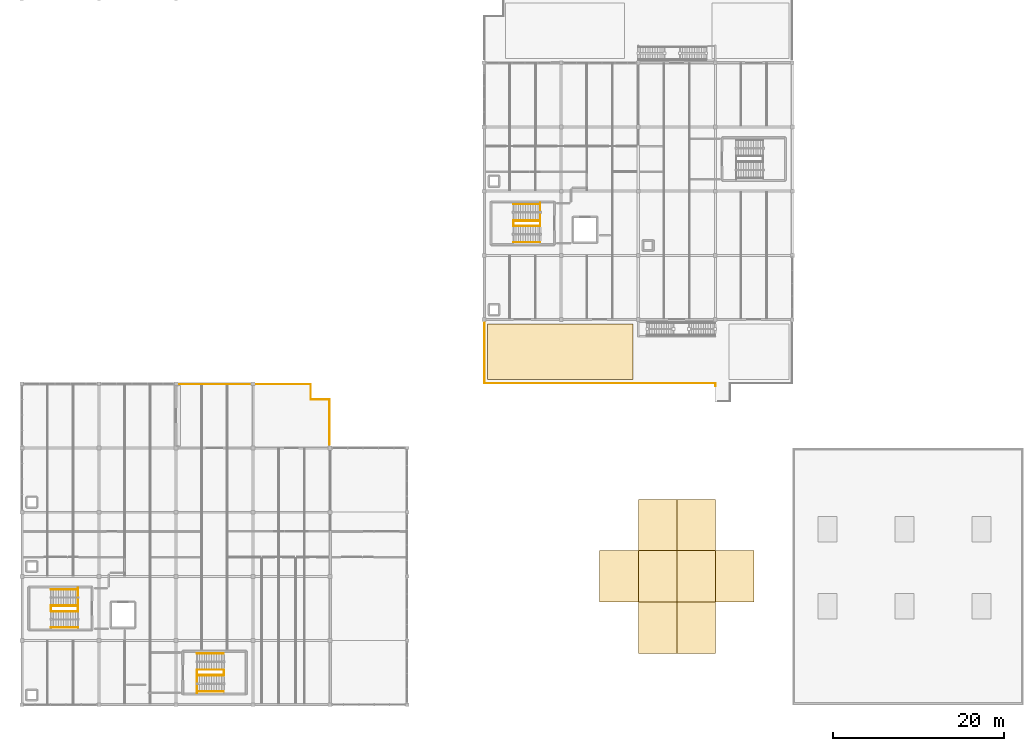
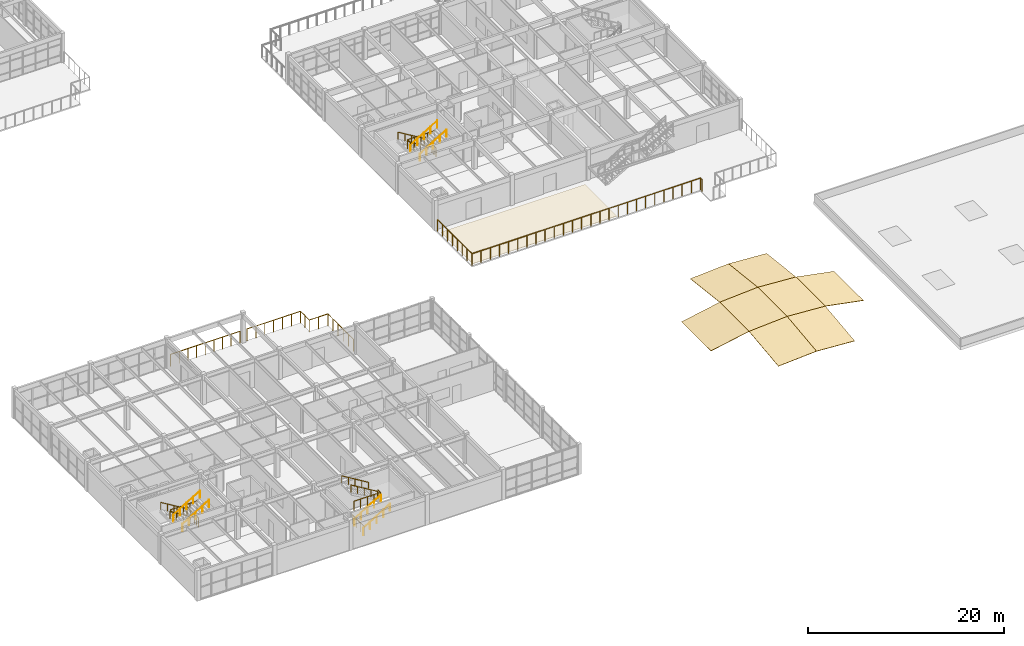
# One storey, part 43 of 45: 21 railings, 9 coverings.
"""IFC4 building model written with IfcOpenShell, lengths in metres."""

import ifcopenshell
import ifcopenshell.guid

model = None  # the IFC model being written
_history = None  # IfcOwnerHistory: only IFC2X3 demands one
_inside = {}  # id of a spatial element -> (the spatial element, [elements in it])
_under = {}  # id of a project, library or spatial element -> (it, [spatial elements below it])
_declared = {}  # id of a project -> (the project, [libraries it declares])
_typed = {}  # id of a type object -> (the type object, [elements of that type])
_made_of = {}  # id of a material, layer set ... -> (it, [elements and type objects made of it])


def new_model(schema):
    """Start an empty IFC model of exactly this schema.

    Asked for "IFC4X3", IfcOpenShell would pick the latest addendum, in which some entities
    have other attributes; the version numbers below select the first issue.
    IFC2X3 requires an IfcOwnerHistory on every rooted entity: one is made here for all.
    """
    global model, _history
    if schema == "IFC4X3":
        model = ifcopenshell.file(schema_version=(4, 3, 0, 0))
    else:
        model = ifcopenshell.file(schema=schema)
    _inside.clear()
    _under.clear()
    _declared.clear()
    _typed.clear()
    _made_of.clear()
    _history = None
    if model.schema == "IFC2X3":
        org = make("IfcOrganization", Name="unknown")
        user = make(
            "IfcPersonAndOrganization",
            ThePerson=make("IfcPerson", FamilyName="unknown"),
            TheOrganization=org,
        )
        app = make(
            "IfcApplication",
            ApplicationDeveloper=org,
            Version="unknown",
            ApplicationFullName="unknown",
            ApplicationIdentifier="unknown",
        )
        _history = make(
            "IfcOwnerHistory",
            OwningUser=user,
            OwningApplication=app,
            ChangeAction="ADDED",
            CreationDate=0,
        )
    return model


def make(cls, **values):
    """One entity of the class cls with the attributes given. An attribute that is None is left unset."""
    return model.create_entity(
        cls, **{name: value for name, value in values.items() if value is not None}
    )


def rooted(cls, **values):
    """An entity with a GlobalId (a new one), such as an element, a storey or a relation."""
    return make(cls, GlobalId=ifcopenshell.guid.new(), OwnerHistory=_history, **values)


def si_unit(unit_type, name, prefix=None):
    """IfcSIUnit, for example si_unit("LENGTHUNIT", "METRE", prefix="MILLI")."""
    return make("IfcSIUnit", UnitType=unit_type, Prefix=prefix, Name=name)


def assignment(units):
    """IfcUnitAssignment: the units of a project."""
    return None if units is None else make("IfcUnitAssignment", Units=units)


def point(xyz):
    """IfcCartesianPoint."""
    return None if xyz is None else make("IfcCartesianPoint", Coordinates=xyz)


def direction(xyz):
    """IfcDirection."""
    return None if xyz is None else make("IfcDirection", DirectionRatios=xyz)


def frame(location, z_axis=None, x_axis=None):
    """IfcAxis2Placement3D, a coordinate frame: its origin and axes. An axis left out is left unset."""
    return make(
        "IfcAxis2Placement3D",
        Location=point(location),
        Axis=direction(z_axis),
        RefDirection=direction(x_axis),
    )


def frame_2d(location, x_axis=None):
    """IfcAxis2Placement2D, a coordinate frame in the plane: its origin and x axis."""
    return make(
        "IfcAxis2Placement2D", Location=point(location), RefDirection=direction(x_axis)
    )


def origin():
    """The frame at (0, 0, 0) with its axes left unset."""
    return frame((0.0, 0.0, 0.0))


def origin_2d():
    """The frame at (0, 0) in the plane with its x axis left unset."""
    return frame_2d((0.0, 0.0))


def place(relative_to, where):
    """IfcLocalPlacement: puts the frame where relative to a parent placement (None: the world)."""
    return make(
        "IfcLocalPlacement", PlacementRelTo=relative_to, RelativePlacement=where
    )


def context(
    kind, dimensions, precision=None, world=None, true_north=None, identifier=None
):
    """IfcGeometricRepresentationContext, for example the 3D "Model" context."""
    return make(
        "IfcGeometricRepresentationContext",
        ContextIdentifier=identifier,
        ContextType=kind,
        CoordinateSpaceDimension=dimensions,
        Precision=precision,
        WorldCoordinateSystem=world,
        TrueNorth=true_north,
    )


def subcontext(parent, identifier, kind, view, scale=None):
    """IfcGeometricRepresentationSubContext, for example "Body" below "Model"."""
    return make(
        "IfcGeometricRepresentationSubContext",
        ContextIdentifier=identifier,
        ContextType=kind,
        ParentContext=parent,
        TargetScale=scale,
        TargetView=view,
    )


def project(units=None, contexts=None):
    """IfcProject with its units and contexts."""
    return rooted(
        "IfcProject",
        Name="project",
        RepresentationContexts=contexts,
        UnitsInContext=assignment(units),
    )


def spatial(cls, under=None, at=None, **own):
    """A site, building, storey or space (cls), placed at a placement, below another one or the project."""
    s = rooted(cls, ObjectPlacement=at, **own)
    if under is not None:
        _under.setdefault(under.id(), (under, []))[1].append(s)
    return s


def polyline(points):
    """IfcPolyline through the points."""
    return make("IfcPolyline", Points=[point(p) for p in points])


def profile(cls, at=None, kind="AREA", **sizes):
    """A parametric profile (cls). Its sizes go by their IFC names, for example OverallWidth=200.0."""
    return make(cls, ProfileType=kind, Position=at, **sizes)


def circle(**sizes):
    """IfcCircleProfileDef."""
    return profile("IfcCircleProfileDef", **sizes)


def outline(outer, holes=None, kind="AREA"):
    """IfcArbitraryClosedProfileDef: a profile drawn as a closed curve; with holes, ...WithVoids."""
    if holes is None:
        return make("IfcArbitraryClosedProfileDef", ProfileType=kind, OuterCurve=outer)
    return make(
        "IfcArbitraryProfileDefWithVoids",
        ProfileType=kind,
        OuterCurve=outer,
        InnerCurves=holes,
    )


def extrude(swept, where, along, depth):
    """IfcExtrudedAreaSolid: the profile swept, set in the frame where, extruded along a direction by depth."""
    return make(
        "IfcExtrudedAreaSolid",
        SweptArea=swept,
        Position=where,
        ExtrudedDirection=direction(along),
        Depth=depth,
    )


def shape(context_of_items, identifier, shape_type, items):
    """IfcShapeRepresentation: the items that make up one representation, for example the "Body"."""
    return make(
        "IfcShapeRepresentation",
        ContextOfItems=context_of_items,
        RepresentationIdentifier=identifier,
        RepresentationType=shape_type,
        Items=items,
    )


def material(Name=None, Category=None):
    """IfcMaterial."""
    return make("IfcMaterial", Name=Name, Category=Category)


def layer(
    of_material, thickness, ventilated=None, Name=None, Category=None, Priority=None
):
    """IfcMaterialLayer: one layer of a wall or slab, of a material (None: an air gap)."""
    return make(
        "IfcMaterialLayer",
        Material=of_material,
        LayerThickness=thickness,
        IsVentilated=ventilated,
        Name=Name,
        Category=Category,
        Priority=Priority,
    )


def layer_set(layers, Name=None):
    """IfcMaterialLayerSet."""
    return make("IfcMaterialLayerSet", MaterialLayers=layers, LayerSetName=Name)


def made_of(thing, what):
    """Note that an element or type object is made of a material, layer set ...; save() writes the relation."""
    if what is not None:
        _made_of.setdefault(what.id(), (what, []))[1].append(thing)
    return thing


def type_object(cls, material=None, **own):
    """A type object (cls), such as IfcWallType, which elements share."""
    return made_of(rooted(cls, **own), material)


def element(
    cls,
    number,
    at=None,
    inside=None,
    cuts=None,
    type_object=None,
    material=None,
    context=None,
    identifier="Body",
    shape_type=None,
    held_by="IfcProductDefinitionShape",
    body=None,
    shapes=None,
    **own,
):
    """One element of the class cls, such as IfcWall. Its Tag is "e" and its number.

    at: its placement. inside: the storey or other place that contains it. cuts: it is an
    opening in that element (IfcRelVoidsElement). A single representation is given by context,
    identifier, shape_type and body (its items); several are given by shapes. held_by: the class
    of the entity that holds the representations. save() writes the other relations.
    """
    e = rooted(cls, Tag="e%d" % number, ObjectPlacement=at, **own)
    if body is not None:
        shapes = [shape(context, identifier, shape_type, body)]
    if shapes is not None:
        e.Representation = make(held_by, Representations=shapes)
    if inside is not None:
        _inside.setdefault(inside.id(), (inside, []))[1].append(e)
    if cuts is not None:
        rooted(
            "IfcRelVoidsElement", RelatingBuildingElement=cuts, RelatedOpeningElement=e
        )
    if type_object is not None:
        _typed.setdefault(type_object.id(), (type_object, []))[1].append(e)
    return made_of(e, material)


def aggregate(whole, parts):
    """IfcRelAggregates: a whole, such as a stair, and the parts it consists of."""
    return rooted("IfcRelAggregates", RelatingObject=whole, RelatedObjects=parts)


def save(model, path):
    """Write the relations noted so far, then the file.

    IfcRelAggregates (storeys below a building ...), IfcRelContainedInSpatialStructure (elements
    in a storey), IfcRelDefinesByType, IfcRelAssociatesMaterial and IfcRelDeclares: one each for
    every whole, place, type object, material and project.
    """
    for whole, parts in _under.values():
        aggregate(whole, parts)
    for where, things in _inside.values():
        rooted(
            "IfcRelContainedInSpatialStructure",
            RelatedElements=things,
            RelatingStructure=where,
        )
    for kind, things in _typed.values():
        rooted("IfcRelDefinesByType", RelatedObjects=things, RelatingType=kind)
    for what, things in _made_of.values():
        rooted("IfcRelAssociatesMaterial", RelatedObjects=things, RelatingMaterial=what)
    for by, libraries in _declared.values():
        rooted("IfcRelDeclares", RelatingContext=by, RelatedDefinitions=libraries)
    model.write(path)


model = new_model("IFC4")

# Units and contexts
model_context = context("Model", 3, precision=1e-05, world=origin(), true_north=direction((0.0, 1.0)))
body_context = subcontext(model_context, "Body", "Model", "MODEL_VIEW")
ifc_project = project(units=[si_unit("LENGTHUNIT", "METRE"), si_unit("AREAUNIT", "SQUARE_METRE"), si_unit("VOLUMEUNIT", "CUBIC_METRE"), si_unit("PLANEANGLEUNIT", "RADIAN"), si_unit("MASSUNIT", "GRAM", prefix="KILO")], contexts=[model_context])

# Site, building, storey
site_placement = place(None, origin())
site = spatial("IfcSite", under=ifc_project, at=site_placement, CompositionType="ELEMENT")
building_placement = place(site_placement, origin())
building = spatial("IfcBuilding", under=site, at=building_placement, Name="Marnridge Secondary College", CompositionType="ELEMENT")
storey_placement = place(building_placement, frame((0.0, 0.0, 12.300048828125)))
storey = spatial("IfcBuildingStorey", under=building, at=storey_placement, Name="L03", CompositionType="ELEMENT", Elevation=12.300048828125)

# Coverings
ifc_material_1 = material(Name="Charred jarrah acoustic soffit cladding", Category="wood")
ifc_layer_1 = layer(ifc_material_1, 0.034912109375)
ifc_layer_set_1 = layer_set([ifc_layer_1], Name="CV-CLAD-TIM")
covering_type_1 = type_object("IfcCoveringType", Name="CV-CLAD-TIM", PredefinedType="CLADDING", material=ifc_layer_set_1)
covering_1_placement = place(storey_placement, frame((0.0, 0.0, -0.195068359375)))
element("IfcCovering", 1, at=covering_1_placement, inside=storey, type_object=covering_type_1, Name="Timber soffit cladding CVL-01", PredefinedType="CLADDING", context=body_context, shape_type="SweptSolid", body=[
    extrude(outline(polyline([(54.39990234375, 38.0), (71.39990234375, 38.0), (71.39990234375, 44.5), (54.39990234375, 44.5), (54.39990234375, 38.0)])), origin(), (0.0, 0.0, 1.0), 0.034912109375),
])
ifc_material_2 = material(Name="Pre-weathered standing-seam zinc roofing", Category="steel")
ifc_layer_2 = layer(ifc_material_2, 0.044921875)
ifc_layer_set_2 = layer_set([ifc_layer_2], Name="CV-ROOF-ZINC")
covering_type_2 = type_object("IfcCoveringType", Name="CV-ROOF-ZINC", PredefinedType="ROOFING", material=ifc_layer_set_2)
covering_2_placement = place(storey_placement, frame((67.5, 12.0, 0.138916015625), z_axis=(-0.189124017699, 0.0, 0.981953209644), x_axis=(0.981953209644, 0.0, 0.189124017699)))
element("IfcCovering", 2, at=covering_2_placement, inside=storey, type_object=covering_type_2, Name="Standing-seam zinc roof panel CVR-V3-0203", PredefinedType="ROOFING", context=body_context, shape_type="SweptSolid", body=[
    extrude(outline(polyline([(0.0, 0.0), (4.5827030817828325, 0.0), (4.5827030817828325, 6.0), (0.0, 6.0), (0.0, 0.0)])), origin(), (0.0, 0.0, -1.0), 0.044921875),
])
covering_3_placement = place(storey_placement, frame((72.0, 6.0, 0.301513671875), z_axis=(-0.063615328602, -0.116314417384, 0.991173065754), x_axis=(0.997946686081, 0.0, 0.064050072137)))
element("IfcCovering", 3, at=covering_3_placement, inside=storey, type_object=covering_type_2, Name="Standing-seam zinc roof panel CVR-V3-0302", PredefinedType="ROOFING", context=body_context, shape_type="SweptSolid", body=[
    extrude(outline(polyline([(0.0, 0.0), (4.5092589241151435, -6.938893903907228e-18), (4.554356679985202, 6.041003658559597), (0.04509775587005775, 6.041003658559597), (0.0, 0.0)])), origin(), (0.0, 0.0, -1.0), 0.044921875),
])
covering_4_placement = place(storey_placement, frame((72.0, 12.0, 1.005615234375), z_axis=(-0.064050072137, 0.0, 0.997946686081), x_axis=(0.997946686081, 0.0, 0.064050072137)))
element("IfcCovering", 4, at=covering_4_placement, inside=storey, type_object=covering_type_2, Name="Standing-seam zinc roof panel CVR-V3-0303", PredefinedType="ROOFING", context=body_context, shape_type="SweptSolid", body=[
    extrude(outline(polyline([(0.0, 0.0), (4.5092589241151435, 0.0), (4.5092589241151435, 6.0), (0.0, 6.0), (0.0, 0.0)])), origin(), (0.0, 0.0, -1.0), 0.044921875),
])
for number, where, z_axis, x_axis, name in (
    (5, (72.0, 18.0, 1.005615234375), (-0.063615328602, 0.116314417384, 0.991173065754), (0.997946686081, 0.0, 0.064050072137), "Standing-seam zinc roof panel CVR-V3-0304"),
    (6, (76.5, 6.0, 0.59033203125), (0.063615328602, -0.116314417384, 0.991173065754), (0.997946686081, 0.0, -0.064050072137), "Standing-seam zinc roof panel CVR-V3-0402"),
):
    element("IfcCovering", number, at=place(storey_placement, frame(where, z_axis=z_axis, x_axis=x_axis)), inside=storey, type_object=covering_type_2, Name=name, PredefinedType="ROOFING", context=body_context, shape_type="SweptSolid", body=[
        extrude(outline(polyline([(0.0, 0.0), (4.5092589241151435, 6.938893903907228e-18), (4.464161168245086, 6.041003658559597), (-0.04509775587005775, 6.041003658559597), (0.0, 0.0)])), origin(), (0.0, 0.0, -1.0), 0.044921875),
    ])
covering_5_placement = place(storey_placement, frame((76.5, 12.0, 1.29443359375), z_axis=(0.064050072137, 0.0, 0.997946686081), x_axis=(0.997946686081, 0.0, -0.064050072137)))
element("IfcCovering", 7, at=covering_5_placement, inside=storey, type_object=covering_type_2, Name="Standing-seam zinc roof panel CVR-V3-0403", PredefinedType="ROOFING", context=body_context, shape_type="SweptSolid", body=[
    extrude(outline(polyline([(0.0, 0.0), (4.5092589241151435, 0.0), (4.5092589241151435, 6.0), (0.0, 6.0), (0.0, 0.0)])), origin(), (0.0, 0.0, -1.0), 0.044921875),
])
covering_6_placement = place(storey_placement, frame((76.5, 18.0, 1.29443359375), z_axis=(0.063615328602, 0.116314417384, 0.991173065754), x_axis=(0.997946686081, 0.0, -0.064050072137)))
element("IfcCovering", 8, at=covering_6_placement, inside=storey, type_object=covering_type_2, Name="Standing-seam zinc roof panel CVR-V3-0404", PredefinedType="ROOFING", context=body_context, shape_type="SweptSolid", body=[
    extrude(outline(polyline([(0.0, 0.0), (4.5092589241151435, -6.938893903907228e-18), (4.554356679985202, 6.041003658559597), (0.04509775587005775, 6.041003658559597), (0.0, 0.0)])), origin(), (0.0, 0.0, -1.0), 0.044921875),
])
covering_7_placement = place(storey_placement, frame((81.0, 12.0, 1.005615234375), z_axis=(0.189124017699, 0.0, 0.981953209644), x_axis=(0.981953209644, 0.0, -0.189124017699)))
element("IfcCovering", 9, at=covering_7_placement, inside=storey, type_object=covering_type_2, Name="Standing-seam zinc roof panel CVR-V3-0503", PredefinedType="ROOFING", context=body_context, shape_type="SweptSolid", body=[
    extrude(outline(polyline([(0.0, 0.0), (4.5827030817828325, 0.0), (4.5827030817828325, 6.0), (0.0, 6.0), (0.0, 0.0)])), origin(), (0.0, 0.0, -1.0), 0.044921875),
])

# Railings
ifc_material_3 = material(Name="Galvanised steel Grade C350L0 (350 MPa) balustrade", Category="steel")
railing_type_1 = type_object("IfcRailingType", Name="RL-DECK-1500", PredefinedType="BALUSTRADE", material=ifc_material_3)
railing_1_placement = place(storey_placement, frame((18.415283203125, 37.43994140625, 0.0)))
element("IfcRailing", 10, at=railing_1_placement, inside=storey, type_object=railing_type_1, Name="Play deck balustrade GD-005", PredefinedType="BALUSTRADE", context=body_context, shape_type="SweptSolid", body=[
    extrude(circle(Radius=0.02392578125, at=origin_2d()), frame((0.0, 0.0, 1.47607421875), z_axis=(1.0, 0.0, 0.0), x_axis=(0.0, 1.0, 0.0)), (0.0, 0.0, 1.0), 8.16943359375),
    extrude(circle(Radius=0.02099609375, at=origin_2d()), origin(), (0.0, 0.0, 1.0), 1.451904296875),
    extrude(circle(Radius=0.02099609375, at=origin_2d()), frame((1.021240234375, 0.0, 0.0)), (0.0, 0.0, 1.0), 1.451904296875),
    extrude(circle(Radius=0.02099609375, at=origin_2d()), frame((2.04248046875, 0.0, 0.0)), (0.0, 0.0, 1.0), 1.451904296875),
    extrude(circle(Radius=0.02099609375, at=origin_2d()), frame((3.0634765625, 0.0, 0.0)), (0.0, 0.0, 1.0), 1.451904296875),
    extrude(circle(Radius=0.02099609375, at=origin_2d()), frame((4.084716796875, 0.0, 0.0)), (0.0, 0.0, 1.0), 1.451904296875),
    extrude(circle(Radius=0.02099609375, at=origin_2d()), frame((5.10595703125, 0.0, 0.0)), (0.0, 0.0, 1.0), 1.451904296875),
    extrude(circle(Radius=0.02099609375, at=origin_2d()), frame((6.126953125, 0.0, 0.0)), (0.0, 0.0, 1.0), 1.451904296875),
    extrude(circle(Radius=0.02099609375, at=origin_2d()), frame((7.148193359375, 0.0, 0.0)), (0.0, 0.0, 1.0), 1.451904296875),
    extrude(circle(Radius=0.02099609375, at=origin_2d()), frame((8.16943359375, 0.0, 0.0)), (0.0, 0.0, 1.0), 1.451904296875),
])
railing_2_placement = place(storey_placement, frame((27.415283203125, 37.43994140625, 0.0)))
element("IfcRailing", 11, at=railing_2_placement, inside=storey, type_object=railing_type_1, Name="Play deck balustrade GD-007", PredefinedType="BALUSTRADE", context=body_context, shape_type="SweptSolid", body=[
    extrude(circle(Radius=0.02392578125, at=origin_2d()), frame((0.0, 0.0, 1.47607421875), z_axis=(1.0, 0.0, 0.0), x_axis=(0.0, 1.0, 0.0)), (0.0, 0.0, 1.0), 6.32470703125),
    extrude(circle(Radius=0.02392578125, at=origin_2d()), frame((6.32470703125, 0.0, 1.47607421875), z_axis=(0.0, -1.0, 0.0), x_axis=(1.0, 0.0, 0.0)), (0.0, 0.0, 1.0), 1.800048828125),
    extrude(circle(Radius=0.02392578125, at=origin_2d()), frame((6.32470703125, -1.800048828125, 1.47607421875), z_axis=(1.0, 0.0, 0.0), x_axis=(0.0, 1.0, 0.0)), (0.0, 0.0, 1.0), 2.199951171875),
    extrude(circle(Radius=0.02392578125, at=origin_2d()), frame((8.524658203125, -1.800048828125, 1.47607421875), z_axis=(0.0, -1.0, 0.0), x_axis=(1.0, 0.0, 0.0)), (0.0, 0.0, 1.0), 5.224609375),
    extrude(circle(Radius=0.02099609375, at=origin_2d()), origin(), (0.0, 0.0, 1.0), 1.451904296875),
    extrude(circle(Radius=0.02099609375, at=origin_2d()), frame((1.05419921875, 0.0, 0.0)), (0.0, 0.0, 1.0), 1.451904296875),
    extrude(circle(Radius=0.02099609375, at=origin_2d()), frame((2.108154296875, 0.0, 0.0)), (0.0, 0.0, 1.0), 1.451904296875),
    extrude(circle(Radius=0.02099609375, at=origin_2d()), frame((3.162353515625, 0.0, 0.0)), (0.0, 0.0, 1.0), 1.451904296875),
    extrude(circle(Radius=0.02099609375, at=origin_2d()), frame((4.216552734375, 0.0, 0.0)), (0.0, 0.0, 1.0), 1.451904296875),
    extrude(circle(Radius=0.02099609375, at=origin_2d()), frame((5.2705078125, 0.0, 0.0)), (0.0, 0.0, 1.0), 1.451904296875),
    extrude(circle(Radius=0.02099609375, at=origin_2d()), frame((6.32470703125, 0.0, 0.0)), (0.0, 0.0, 1.0), 1.451904296875),
    extrude(circle(Radius=0.02099609375, at=origin_2d()), frame((6.32470703125, -0.89990234375, 0.0)), (0.0, 0.0, 1.0), 1.451904296875),
    extrude(circle(Radius=0.02099609375, at=origin_2d()), frame((6.32470703125, -1.800048828125, 0.0)), (0.0, 0.0, 1.0), 1.451904296875),
    extrude(circle(Radius=0.02099609375, at=origin_2d()), frame((7.4248046875, -1.800048828125, 0.0)), (0.0, 0.0, 1.0), 1.451904296875),
    extrude(circle(Radius=0.02099609375, at=origin_2d()), frame((8.524658203125, -1.800048828125, 0.0)), (0.0, 0.0, 1.0), 1.451904296875),
    extrude(circle(Radius=0.02099609375, at=origin_2d()), frame((8.524658203125, -2.844970703125, 0.0)), (0.0, 0.0, 1.0), 1.451904296875),
    extrude(circle(Radius=0.02099609375, at=origin_2d()), frame((8.524658203125, -3.889892578125, 0.0)), (0.0, 0.0, 1.0), 1.451904296875),
    extrude(circle(Radius=0.02099609375, at=origin_2d()), frame((8.524658203125, -4.934814453125, 0.0)), (0.0, 0.0, 1.0), 1.451904296875),
    extrude(circle(Radius=0.02099609375, at=origin_2d()), frame((8.524658203125, -5.979736328125, 0.0)), (0.0, 0.0, 1.0), 1.451904296875),
    extrude(circle(Radius=0.02099609375, at=origin_2d()), frame((8.524658203125, -7.024658203125, 0.0)), (0.0, 0.0, 1.0), 1.451904296875),
])
railing_3_placement = place(storey_placement, frame((81.02001953125, 37.219970703125, 0.0)))
element("IfcRailing", 12, at=railing_3_placement, inside=storey, type_object=railing_type_1, Name="Play deck balustrade GD-008", PredefinedType="BALUSTRADE", context=body_context, shape_type="SweptSolid", body=[
    extrude(circle(Radius=0.02392578125, at=origin_2d()), frame((0.0, 0.0, 1.47607421875), z_axis=(0.0, 1.0, 0.0), x_axis=(-1.0, 0.0, 0.0)), (0.0, 0.0, 1.0), 0.340087890625),
    extrude(circle(Radius=0.02392578125, at=origin_2d()), frame((0.0, 0.340087890625, 1.47607421875), z_axis=(-1.0, 0.0, 0.0), x_axis=(0.0, -1.0, 0.0)), (0.0, 0.0, 1.0), 26.9599609375),
    extrude(circle(Radius=0.02392578125, at=origin_2d()), frame((-26.9599609375, 0.340087890625, 1.47607421875), z_axis=(0.0, 1.0, 0.0), x_axis=(-1.0, 0.0, 0.0)), (0.0, 0.0, 1.0), 7.024658203125),
    extrude(circle(Radius=0.02099609375, at=origin_2d()), origin(), (0.0, 0.0, 1.0), 1.451904296875),
    extrude(circle(Radius=0.02099609375, at=origin_2d()), frame((0.0, 0.340087890625, 0.0)), (0.0, 0.0, 1.0), 1.451904296875),
    extrude(circle(Radius=0.02099609375, at=origin_2d()), frame((-1.078369140625, 0.340087890625, 0.0)), (0.0, 0.0, 1.0), 1.451904296875),
    extrude(circle(Radius=0.02099609375, at=origin_2d()), frame((-2.15673828125, 0.340087890625, 0.0)), (0.0, 0.0, 1.0), 1.451904296875),
    extrude(circle(Radius=0.02099609375, at=origin_2d()), frame((-3.235107421875, 0.340087890625, 0.0)), (0.0, 0.0, 1.0), 1.451904296875),
    extrude(circle(Radius=0.02099609375, at=origin_2d()), frame((-4.3134765625, 0.340087890625, 0.0)), (0.0, 0.0, 1.0), 1.451904296875),
    extrude(circle(Radius=0.02099609375, at=origin_2d()), frame((-5.39208984375, 0.340087890625, 0.0)), (0.0, 0.0, 1.0), 1.451904296875),
    extrude(circle(Radius=0.02099609375, at=origin_2d()), frame((-6.470458984375, 0.340087890625, 0.0)), (0.0, 0.0, 1.0), 1.451904296875),
    extrude(circle(Radius=0.02099609375, at=origin_2d()), frame((-7.548828125, 0.340087890625, 0.0)), (0.0, 0.0, 1.0), 1.451904296875),
    extrude(circle(Radius=0.02099609375, at=origin_2d()), frame((-8.627197265625, 0.340087890625, 0.0)), (0.0, 0.0, 1.0), 1.451904296875),
    extrude(circle(Radius=0.02099609375, at=origin_2d()), frame((-9.70556640625, 0.340087890625, 0.0)), (0.0, 0.0, 1.0), 1.451904296875),
    extrude(circle(Radius=0.02099609375, at=origin_2d()), frame((-10.783935546875, 0.340087890625, 0.0)), (0.0, 0.0, 1.0), 1.451904296875),
    extrude(circle(Radius=0.02099609375, at=origin_2d()), frame((-11.8623046875, 0.340087890625, 0.0)), (0.0, 0.0, 1.0), 1.451904296875),
    extrude(circle(Radius=0.02099609375, at=origin_2d()), frame((-12.940673828125, 0.340087890625, 0.0)), (0.0, 0.0, 1.0), 1.451904296875),
    extrude(circle(Radius=0.02099609375, at=origin_2d()), frame((-14.019287109375, 0.340087890625, 0.0)), (0.0, 0.0, 1.0), 1.451904296875),
    extrude(circle(Radius=0.02099609375, at=origin_2d()), frame((-15.09765625, 0.340087890625, 0.0)), (0.0, 0.0, 1.0), 1.451904296875),
    extrude(circle(Radius=0.02099609375, at=origin_2d()), frame((-16.176025390625, 0.340087890625, 0.0)), (0.0, 0.0, 1.0), 1.451904296875),
    extrude(circle(Radius=0.02099609375, at=origin_2d()), frame((-17.25439453125, 0.340087890625, 0.0)), (0.0, 0.0, 1.0), 1.451904296875),
    extrude(circle(Radius=0.02099609375, at=origin_2d()), frame((-18.332763671875, 0.340087890625, 0.0)), (0.0, 0.0, 1.0), 1.451904296875),
    extrude(circle(Radius=0.02099609375, at=origin_2d()), frame((-19.4111328125, 0.340087890625, 0.0)), (0.0, 0.0, 1.0), 1.451904296875),
    extrude(circle(Radius=0.02099609375, at=origin_2d()), frame((-20.489501953125, 0.340087890625, 0.0)), (0.0, 0.0, 1.0), 1.451904296875),
    extrude(circle(Radius=0.02099609375, at=origin_2d()), frame((-21.56787109375, 0.340087890625, 0.0)), (0.0, 0.0, 1.0), 1.451904296875),
    extrude(circle(Radius=0.02099609375, at=origin_2d()), frame((-22.646484375, 0.340087890625, 0.0)), (0.0, 0.0, 1.0), 1.451904296875),
    extrude(circle(Radius=0.02099609375, at=origin_2d()), frame((-23.724853515625, 0.340087890625, 0.0)), (0.0, 0.0, 1.0), 1.451904296875),
    extrude(circle(Radius=0.02099609375, at=origin_2d()), frame((-24.80322265625, 0.340087890625, 0.0)), (0.0, 0.0, 1.0), 1.451904296875),
    extrude(circle(Radius=0.02099609375, at=origin_2d()), frame((-25.881591796875, 0.340087890625, 0.0)), (0.0, 0.0, 1.0), 1.451904296875),
    extrude(circle(Radius=0.02099609375, at=origin_2d()), frame((-26.9599609375, 0.340087890625, 0.0)), (0.0, 0.0, 1.0), 1.451904296875),
    extrude(circle(Radius=0.02099609375, at=origin_2d()), frame((-26.9599609375, 1.343505859375, 0.0)), (0.0, 0.0, 1.0), 1.451904296875),
    extrude(circle(Radius=0.02099609375, at=origin_2d()), frame((-26.9599609375, 2.34716796875, 0.0)), (0.0, 0.0, 1.0), 1.451904296875),
    extrude(circle(Radius=0.02099609375, at=origin_2d()), frame((-26.9599609375, 3.3505859375, 0.0)), (0.0, 0.0, 1.0), 1.451904296875),
    extrude(circle(Radius=0.02099609375, at=origin_2d()), frame((-26.9599609375, 4.354248046875, 0.0)), (0.0, 0.0, 1.0), 1.451904296875),
    extrude(circle(Radius=0.02099609375, at=origin_2d()), frame((-26.9599609375, 5.357666015625, 0.0)), (0.0, 0.0, 1.0), 1.451904296875),
    extrude(circle(Radius=0.02099609375, at=origin_2d()), frame((-26.9599609375, 6.361328125, 0.0)), (0.0, 0.0, 1.0), 1.451904296875),
    extrude(circle(Radius=0.02099609375, at=origin_2d()), frame((-26.9599609375, 7.36474609375, 0.0)), (0.0, 0.0, 1.0), 1.451904296875),
])
ifc_material_4 = material(Name="Stainless steel Grade 350 (350 MPa) 48 mm handrail", Category="steel")
railing_type_2 = type_object("IfcRailingType", Name="RL-HND-900", PredefinedType="HANDRAIL", material=ifc_material_4)
for number, where, name in (
    (13, (60.550048828125, 56.590087890625, 0.0), "Stair handrail HR-019"),
    (14, (60.550048828125, 58.469970703125, 0.0), "Stair handrail HR-020"),
):
    element("IfcRailing", number, at=place(storey_placement, frame(where)), inside=storey, type_object=railing_type_2, Name=name, PredefinedType="HANDRAIL", context=body_context, shape_type="SweptSolid", body=[
        extrude(circle(Radius=0.02392578125, at=origin_2d()), frame((0.0, 0.0, 0.8759765625), z_axis=(-0.855210355142, 0.0, 0.518281051609), x_axis=(0.0, -1.0, 0.0)), (0.0, 0.0, 1.0), 3.665771484375),
        extrude(circle(Radius=0.02099609375, at=origin_2d()), origin(), (0.0, 0.0, 1.0), 0.851806640625),
        extrude(circle(Radius=0.02099609375, at=origin_2d()), frame((-0.78369140625, 0.0, 0.47509765625)), (0.0, 0.0, 1.0), 0.851806640625),
        extrude(circle(Radius=0.02099609375, at=origin_2d()), frame((-1.5673828125, 0.0, 0.949951171875)), (0.0, 0.0, 1.0), 0.851806640625),
        extrude(circle(Radius=0.02099609375, at=origin_2d()), frame((-2.351318359375, 0.0, 1.4248046875)), (0.0, 0.0, 1.0), 0.851806640625),
        extrude(circle(Radius=0.02099609375, at=origin_2d()), frame((-3.135009765625, 0.0, 1.89990234375)), (0.0, 0.0, 1.0), 0.851806640625),
    ])
for number, where, name in (
    (15, (57.4150390625, 54.030029296875, 1.89990234375), "Stair handrail HR-021"),
    (16, (57.4150390625, 55.909912109375, 1.89990234375), "Stair handrail HR-022"),
):
    element("IfcRailing", number, at=place(storey_placement, frame(where)), inside=storey, type_object=railing_type_2, Name=name, PredefinedType="HANDRAIL", context=body_context, shape_type="SweptSolid", body=[
        extrude(circle(Radius=0.02392578125, at=origin_2d()), frame((0.0, 0.0, 0.8759765625), z_axis=(0.855180835044, 0.0, 0.518329759298), x_axis=(0.0, 1.0, 0.0)), (0.0, 0.0, 1.0), 3.666015625),
        extrude(circle(Radius=0.02099609375, at=origin_2d()), origin(), (0.0, 0.0, 1.0), 0.851806640625),
        extrude(circle(Radius=0.02099609375, at=origin_2d()), frame((0.78369140625, 0.0, 0.47509765625)), (0.0, 0.0, 1.0), 0.851806640625),
        extrude(circle(Radius=0.02099609375, at=origin_2d()), frame((1.5673828125, 0.0, 0.9501953125)), (0.0, 0.0, 1.0), 0.851806640625),
        extrude(circle(Radius=0.02099609375, at=origin_2d()), frame((2.351318359375, 0.0, 1.425048828125)), (0.0, 0.0, 1.0), 0.851806640625),
        extrude(circle(Radius=0.02099609375, at=origin_2d()), frame((3.135009765625, 0.0, 1.900146484375)), (0.0, 0.0, 1.0), 0.851806640625),
    ])
for number, where, name in (
    (17, (6.550048828125, 11.590087890625, 0.0), "Stair handrail HR-079"),
    (18, (6.550048828125, 13.469970703125, 0.0), "Stair handrail HR-080"),
):
    element("IfcRailing", number, at=place(storey_placement, frame(where)), inside=storey, type_object=railing_type_2, Name=name, PredefinedType="HANDRAIL", context=body_context, shape_type="SweptSolid", body=[
        extrude(circle(Radius=0.02392578125, at=origin_2d()), frame((0.0, 0.0, 0.8759765625), z_axis=(-0.855210355142, 0.0, 0.518281051609), x_axis=(0.0, -1.0, 0.0)), (0.0, 0.0, 1.0), 3.665771484375),
        extrude(circle(Radius=0.02099609375, at=origin_2d()), origin(), (0.0, 0.0, 1.0), 0.851806640625),
        extrude(circle(Radius=0.02099609375, at=origin_2d()), frame((-0.78369140625, 0.0, 0.47509765625)), (0.0, 0.0, 1.0), 0.851806640625),
        extrude(circle(Radius=0.02099609375, at=origin_2d()), frame((-1.5673828125, 0.0, 0.949951171875)), (0.0, 0.0, 1.0), 0.851806640625),
        extrude(circle(Radius=0.02099609375, at=origin_2d()), frame((-2.351318359375, 0.0, 1.4248046875)), (0.0, 0.0, 1.0), 0.851806640625),
        extrude(circle(Radius=0.02099609375, at=origin_2d()), frame((-3.135009765625, 0.0, 1.89990234375)), (0.0, 0.0, 1.0), 0.851806640625),
    ])
for number, where, name in (
    (19, (3.4150390625, 9.030029296875, 1.89990234375), "Stair handrail HR-081"),
    (20, (3.4150390625, 10.909912109375, 1.89990234375), "Stair handrail HR-082"),
):
    element("IfcRailing", number, at=place(storey_placement, frame(where)), inside=storey, type_object=railing_type_2, Name=name, PredefinedType="HANDRAIL", context=body_context, shape_type="SweptSolid", body=[
        extrude(circle(Radius=0.02392578125, at=origin_2d()), frame((0.0, 0.0, 0.8759765625), z_axis=(0.855180835044, 0.0, 0.518329759298), x_axis=(0.0, 1.0, 0.0)), (0.0, 0.0, 1.0), 3.666015625),
        extrude(circle(Radius=0.02099609375, at=origin_2d()), origin(), (0.0, 0.0, 1.0), 0.851806640625),
        extrude(circle(Radius=0.02099609375, at=origin_2d()), frame((0.78369140625, 0.0, 0.47509765625)), (0.0, 0.0, 1.0), 0.851806640625),
        extrude(circle(Radius=0.02099609375, at=origin_2d()), frame((1.5673828125, 0.0, 0.9501953125)), (0.0, 0.0, 1.0), 0.851806640625),
        extrude(circle(Radius=0.02099609375, at=origin_2d()), frame((2.351318359375, 0.0, 1.425048828125)), (0.0, 0.0, 1.0), 0.851806640625),
        extrude(circle(Radius=0.02099609375, at=origin_2d()), frame((3.135009765625, 0.0, 1.900146484375)), (0.0, 0.0, 1.0), 0.851806640625),
    ])
for number, where, name in (
    (21, (20.449951171875, 1.530029296875, 0.0), "Stair handrail HR-103"),
    (22, (20.449951171875, 3.409912109375, 0.0), "Stair handrail HR-104"),
):
    element("IfcRailing", number, at=place(storey_placement, frame(where)), inside=storey, type_object=railing_type_2, Name=name, PredefinedType="HANDRAIL", context=body_context, shape_type="SweptSolid", body=[
        extrude(circle(Radius=0.02392578125, at=origin_2d()), frame((0.0, 0.0, 0.8759765625), z_axis=(0.855210355142, 0.0, 0.518281051609), x_axis=(0.0, 1.0, 0.0)), (0.0, 0.0, 1.0), 3.665771484375),
        extrude(circle(Radius=0.02099609375, at=origin_2d()), origin(), (0.0, 0.0, 1.0), 0.851806640625),
        extrude(circle(Radius=0.02099609375, at=origin_2d()), frame((0.78369140625, 0.0, 0.47509765625)), (0.0, 0.0, 1.0), 0.851806640625),
        extrude(circle(Radius=0.02099609375, at=origin_2d()), frame((1.5673828125, 0.0, 0.949951171875)), (0.0, 0.0, 1.0), 0.851806640625),
        extrude(circle(Radius=0.02099609375, at=origin_2d()), frame((2.351318359375, 0.0, 1.4248046875)), (0.0, 0.0, 1.0), 0.851806640625),
        extrude(circle(Radius=0.02099609375, at=origin_2d()), frame((3.135009765625, 0.0, 1.89990234375)), (0.0, 0.0, 1.0), 0.851806640625),
    ])
for number, where, name in (
    (23, (23.5849609375, 4.090087890625, 1.89990234375), "Stair handrail HR-105"),
    (24, (23.5849609375, 5.969970703125, 1.89990234375), "Stair handrail HR-106"),
):
    element("IfcRailing", number, at=place(storey_placement, frame(where)), inside=storey, type_object=railing_type_2, Name=name, PredefinedType="HANDRAIL", context=body_context, shape_type="SweptSolid", body=[
        extrude(circle(Radius=0.02392578125, at=origin_2d()), frame((0.0, 0.0, 0.8759765625), z_axis=(-0.855180835044, 0.0, 0.518329759298), x_axis=(0.0, -1.0, 0.0)), (0.0, 0.0, 1.0), 3.666015625),
        extrude(circle(Radius=0.02099609375, at=origin_2d()), origin(), (0.0, 0.0, 1.0), 0.851806640625),
        extrude(circle(Radius=0.02099609375, at=origin_2d()), frame((-0.78369140625, 0.0, 0.47509765625)), (0.0, 0.0, 1.0), 0.851806640625),
        extrude(circle(Radius=0.02099609375, at=origin_2d()), frame((-1.5673828125, 0.0, 0.9501953125)), (0.0, 0.0, 1.0), 0.851806640625),
        extrude(circle(Radius=0.02099609375, at=origin_2d()), frame((-2.351318359375, 0.0, 1.425048828125)), (0.0, 0.0, 1.0), 0.851806640625),
        extrude(circle(Radius=0.02099609375, at=origin_2d()), frame((-3.135009765625, 0.0, 1.900146484375)), (0.0, 0.0, 1.0), 0.851806640625),
    ])
ifc_material_5 = material(Name="Painted steel Grade C350L0 (350 MPa) stair-well guard", Category="steel")
railing_type_3 = type_object("IfcRailingType", Name="RL-STAIR-1150", PredefinedType="BALUSTRADE", material=ifc_material_5)
railing_4_placement = place(storey_placement, frame((60.550048828125, 58.6298828125, 0.0)))
element("IfcRailing", 25, at=railing_4_placement, inside=storey, type_object=railing_type_3, Name="Stair well arrival guard GS-018", PredefinedType="BALUSTRADE", context=body_context, shape_type="SweptSolid", body=[
    extrude(circle(Radius=0.02392578125, at=origin_2d()), frame((0.0, 0.0, 1.1259765625), z_axis=(0.0, -1.0, 0.0), x_axis=(1.0, 0.0, 0.0)), (0.0, 0.0, 1.0), 2.4599609375),
    extrude(circle(Radius=0.02099609375, at=origin_2d()), origin(), (0.0, 0.0, 1.0), 1.101806640625),
    extrude(circle(Radius=0.02099609375, at=origin_2d()), frame((0.0, -0.820068359375, 0.0)), (0.0, 0.0, 1.0), 1.101806640625),
    extrude(circle(Radius=0.02099609375, at=origin_2d()), frame((0.0, -1.639892578125, 0.0)), (0.0, 0.0, 1.0), 1.101806640625),
    extrude(circle(Radius=0.02099609375, at=origin_2d()), frame((0.0, -2.4599609375, 0.0)), (0.0, 0.0, 1.0), 1.101806640625),
])
railing_5_placement = place(storey_placement, frame((60.550048828125, 56.530029296875, 1.89990234375)))
element("IfcRailing", 26, at=railing_5_placement, inside=storey, type_object=railing_type_3, Name="Stair well slot guard GS-023", PredefinedType="BALUSTRADE", context=body_context, shape_type="SweptSolid", body=[
    extrude(circle(Radius=0.02392578125, at=origin_2d()), frame((0.0, 0.0, 1.1259765625), z_axis=(-1.0, 0.0, 0.0), x_axis=(0.0, -1.0, 0.0)), (0.0, 0.0, 1.0), 3.135009765625),
    extrude(circle(Radius=0.02392578125, at=origin_2d()), frame((-3.135009765625, 0.0, 1.1259765625), z_axis=(0.0, -1.0, 0.0), x_axis=(1.0, 0.0, 0.0)), (0.0, 0.0, 1.0), 0.56005859375),
    extrude(circle(Radius=0.02099609375, at=origin_2d()), origin(), (0.0, 0.0, 1.0), 1.101806640625),
    extrude(circle(Radius=0.02099609375, at=origin_2d()), frame((-0.78369140625, 0.0, 0.0)), (0.0, 0.0, 1.0), 1.101806640625),
    extrude(circle(Radius=0.02099609375, at=origin_2d()), frame((-1.5673828125, 0.0, 0.0)), (0.0, 0.0, 1.0), 1.101806640625),
    extrude(circle(Radius=0.02099609375, at=origin_2d()), frame((-2.351318359375, 0.0, 0.0)), (0.0, 0.0, 1.0), 1.101806640625),
    extrude(circle(Radius=0.02099609375, at=origin_2d()), frame((-3.135009765625, 0.0, 0.0)), (0.0, 0.0, 1.0), 1.101806640625),
    extrude(circle(Radius=0.02099609375, at=origin_2d()), frame((-3.135009765625, -0.56005859375, 0.0)), (0.0, 0.0, 1.0), 1.101806640625),
])
railing_6_placement = place(storey_placement, frame((6.550048828125, 13.6298828125, 0.0)))
element("IfcRailing", 27, at=railing_6_placement, inside=storey, type_object=railing_type_3, Name="Stair well arrival guard GS-078", PredefinedType="BALUSTRADE", context=body_context, shape_type="SweptSolid", body=[
    extrude(circle(Radius=0.02392578125, at=origin_2d()), frame((0.0, 0.0, 1.1259765625), z_axis=(0.0, -1.0, 0.0), x_axis=(1.0, 0.0, 0.0)), (0.0, 0.0, 1.0), 2.4599609375),
    extrude(circle(Radius=0.02099609375, at=origin_2d()), origin(), (0.0, 0.0, 1.0), 1.101806640625),
    extrude(circle(Radius=0.02099609375, at=origin_2d()), frame((0.0, -0.820068359375, 0.0)), (0.0, 0.0, 1.0), 1.101806640625),
    extrude(circle(Radius=0.02099609375, at=origin_2d()), frame((0.0, -1.639892578125, 0.0)), (0.0, 0.0, 1.0), 1.101806640625),
    extrude(circle(Radius=0.02099609375, at=origin_2d()), frame((0.0, -2.4599609375, 0.0)), (0.0, 0.0, 1.0), 1.101806640625),
])
railing_7_placement = place(storey_placement, frame((6.550048828125, 11.530029296875, 1.89990234375)))
element("IfcRailing", 28, at=railing_7_placement, inside=storey, type_object=railing_type_3, Name="Stair well slot guard GS-083", PredefinedType="BALUSTRADE", context=body_context, shape_type="SweptSolid", body=[
    extrude(circle(Radius=0.02392578125, at=origin_2d()), frame((0.0, 0.0, 1.1259765625), z_axis=(-1.0, 0.0, 0.0), x_axis=(0.0, -1.0, 0.0)), (0.0, 0.0, 1.0), 3.135009765625),
    extrude(circle(Radius=0.02392578125, at=origin_2d()), frame((-3.135009765625, 0.0, 1.1259765625), z_axis=(0.0, -1.0, 0.0), x_axis=(1.0, 0.0, 0.0)), (0.0, 0.0, 1.0), 0.56005859375),
    extrude(circle(Radius=0.02099609375, at=origin_2d()), origin(), (0.0, 0.0, 1.0), 1.101806640625),
    extrude(circle(Radius=0.02099609375, at=origin_2d()), frame((-0.78369140625, 0.0, 0.0)), (0.0, 0.0, 1.0), 1.101806640625),
    extrude(circle(Radius=0.02099609375, at=origin_2d()), frame((-1.5673828125, 0.0, 0.0)), (0.0, 0.0, 1.0), 1.101806640625),
    extrude(circle(Radius=0.02099609375, at=origin_2d()), frame((-2.351318359375, 0.0, 0.0)), (0.0, 0.0, 1.0), 1.101806640625),
    extrude(circle(Radius=0.02099609375, at=origin_2d()), frame((-3.135009765625, 0.0, 0.0)), (0.0, 0.0, 1.0), 1.101806640625),
    extrude(circle(Radius=0.02099609375, at=origin_2d()), frame((-3.135009765625, -0.56005859375, 0.0)), (0.0, 0.0, 1.0), 1.101806640625),
])
railing_8_placement = place(storey_placement, frame((20.449951171875, 1.3701171875, 0.0)))
element("IfcRailing", 29, at=railing_8_placement, inside=storey, type_object=railing_type_3, Name="Stair well arrival guard GS-102", PredefinedType="BALUSTRADE", context=body_context, shape_type="SweptSolid", body=[
    extrude(circle(Radius=0.02392578125, at=origin_2d()), frame((0.0, 0.0, 1.1259765625), z_axis=(0.0, 1.0, 0.0), x_axis=(-1.0, 0.0, 0.0)), (0.0, 0.0, 1.0), 2.4599609375),
    extrude(circle(Radius=0.02099609375, at=origin_2d()), origin(), (0.0, 0.0, 1.0), 1.101806640625),
    extrude(circle(Radius=0.02099609375, at=origin_2d()), frame((0.0, 0.820068359375, 0.0)), (0.0, 0.0, 1.0), 1.101806640625),
    extrude(circle(Radius=0.02099609375, at=origin_2d()), frame((0.0, 1.639892578125, 0.0)), (0.0, 0.0, 1.0), 1.101806640625),
    extrude(circle(Radius=0.02099609375, at=origin_2d()), frame((0.0, 2.4599609375, 0.0)), (0.0, 0.0, 1.0), 1.101806640625),
])
railing_9_placement = place(storey_placement, frame((20.449951171875, 3.469970703125, 1.89990234375)))
element("IfcRailing", 30, at=railing_9_placement, inside=storey, type_object=railing_type_3, Name="Stair well slot guard GS-107", PredefinedType="BALUSTRADE", context=body_context, shape_type="SweptSolid", body=[
    extrude(circle(Radius=0.02392578125, at=origin_2d()), frame((0.0, 0.0, 1.1259765625), z_axis=(1.0, 0.0, 0.0), x_axis=(0.0, 1.0, 0.0)), (0.0, 0.0, 1.0), 3.135009765625),
    extrude(circle(Radius=0.02392578125, at=origin_2d()), frame((3.135009765625, 0.0, 1.1259765625), z_axis=(0.0, 1.0, 0.0), x_axis=(-1.0, 0.0, 0.0)), (0.0, 0.0, 1.0), 0.56005859375),
    extrude(circle(Radius=0.02099609375, at=origin_2d()), origin(), (0.0, 0.0, 1.0), 1.101806640625),
    extrude(circle(Radius=0.02099609375, at=origin_2d()), frame((0.78369140625, 0.0, 0.0)), (0.0, 0.0, 1.0), 1.101806640625),
    extrude(circle(Radius=0.02099609375, at=origin_2d()), frame((1.5673828125, 0.0, 0.0)), (0.0, 0.0, 1.0), 1.101806640625),
    extrude(circle(Radius=0.02099609375, at=origin_2d()), frame((2.351318359375, 0.0, 0.0)), (0.0, 0.0, 1.0), 1.101806640625),
    extrude(circle(Radius=0.02099609375, at=origin_2d()), frame((3.135009765625, 0.0, 0.0)), (0.0, 0.0, 1.0), 1.101806640625),
    extrude(circle(Radius=0.02099609375, at=origin_2d()), frame((3.135009765625, 0.56005859375, 0.0)), (0.0, 0.0, 1.0), 1.101806640625),
])

save(model, "model.ifc")
